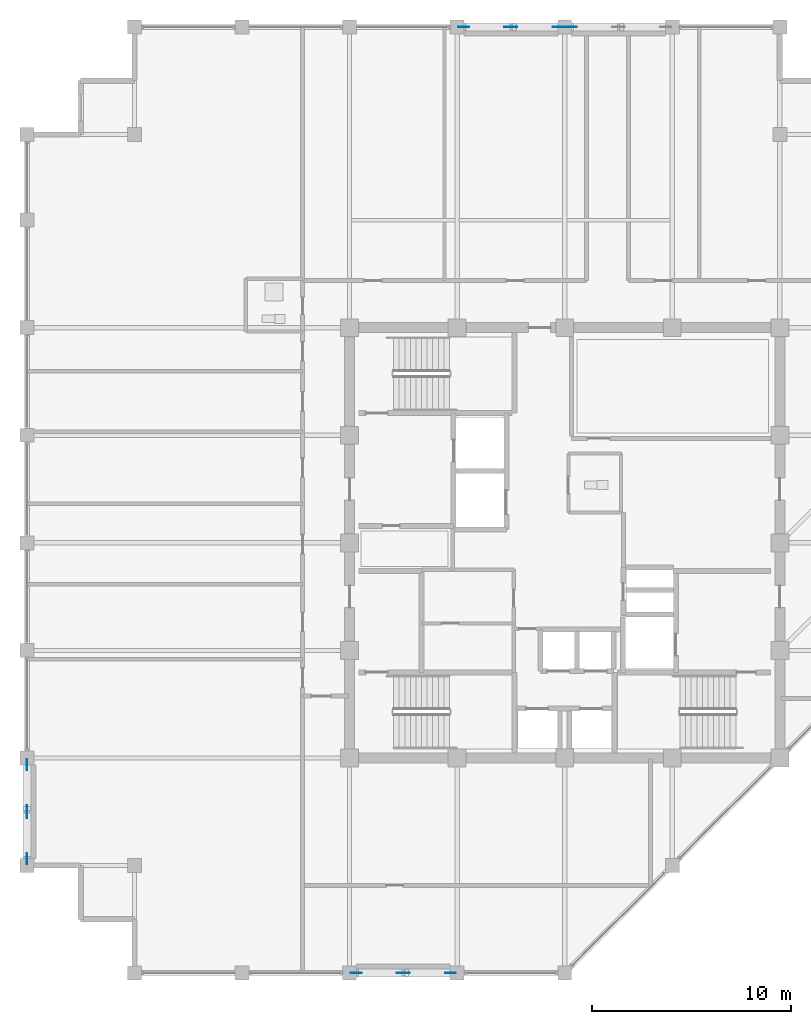
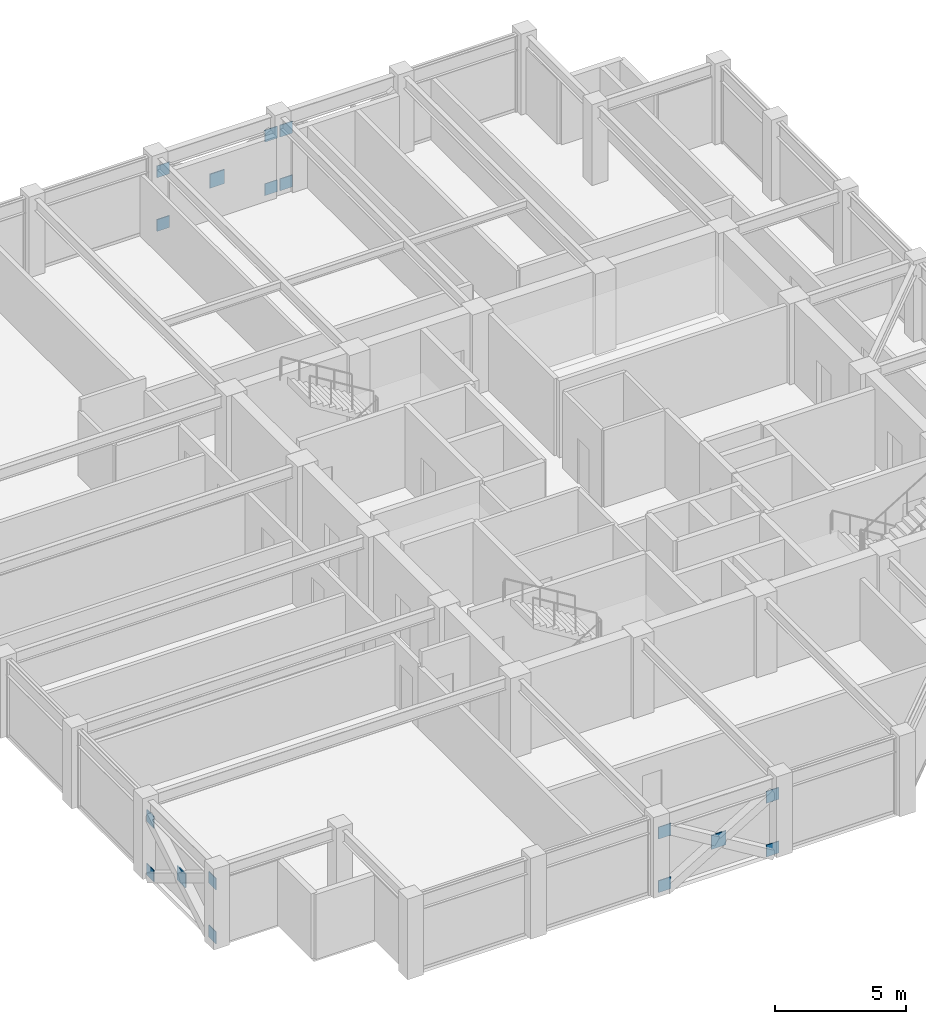
# One storey, part 24 of 30: 17 plates.
"""IFC4 building model written with IfcOpenShell, lengths in metres."""

from ifc_helpers import new_model, si_unit, direction, frame, origin, origin_2d, place, context, subcontext, project, spatial, rectangle, extrude, material, layer, layer_set, type_object, element, save


model = new_model("IFC4")

# Units and contexts
model_context = context("Model", 3, precision=1e-05, world=origin(), true_north=direction((0.0, 1.0)))
body_context = subcontext(model_context, "Body", "Model", "MODEL_VIEW")
ifc_project = project(units=[si_unit("LENGTHUNIT", "METRE"), si_unit("AREAUNIT", "SQUARE_METRE"), si_unit("VOLUMEUNIT", "CUBIC_METRE"), si_unit("PLANEANGLEUNIT", "RADIAN"), si_unit("MASSUNIT", "GRAM", prefix="KILO")], contexts=[model_context])

# Site, building, storey
site_placement = place(None, origin())
site = spatial("IfcSite", under=ifc_project, at=site_placement, CompositionType="ELEMENT")
building_placement = place(site_placement, origin())
building = spatial("IfcBuilding", under=site, at=building_placement, Name="Surkhivell Harbour Commons", CompositionType="ELEMENT")
storey_placement = place(building_placement, frame((0.0, 0.0, 292.5)))
storey = spatial("IfcBuildingStorey", under=building, at=storey_placement, Name="L76", CompositionType="ELEMENT", Elevation=292.5)

# Plates
ifc_material = material(Name="Steel S460", Category="steel")
ifc_layer_1 = layer(ifc_material, 0.035888671875)
ifc_layer_set_1 = layer_set([ifc_layer_1], Name="Steel S460")
plate_type_1 = type_object("IfcPlateType", Name="PLT-GUS-550", PredefinedType="USERDEFINED", material=ifc_layer_set_1)
for number, where, z_axis, x_axis, name in (
    (1, (-5.06494140625, 25.89990234375, -0.07470703125), (0.0, 0.0, 1.0), (1.0, 0.0, 0.0), "L76 Perimeter Mega-Brace MB- Corner Gusset N-1"),
    (2, (-0.3349609375, 25.89990234375, -0.07470703125), (0.0, 0.0, 1.0), (1.0, 0.0, 0.0), "L76 Perimeter Mega-Brace MB- Corner Gusset N-2"),
    (3, (-5.06494140625, 25.89990234375, 2.41357421875), (0.0, 0.0, 1.0), (1.0, 0.0, 0.0), "L76 Perimeter Mega-Brace MB- Corner Gusset N-3"),
    (4, (-0.3349609375, 25.89990234375, 2.41357421875), (0.0, 0.0, 1.0), (1.0, 0.0, 0.0), "L76 Perimeter Mega-Brace MB- Corner Gusset N-4"),
    (5, (0.3349609375, 25.89990234375, -0.07470703125), (0.0, 0.0, 1.0), (1.0, 0.0, 0.0), "L76 Perimeter Mega-Brace MB- Corner Gusset N2-1"),
    (6, (0.3349609375, 25.89990234375, 2.41357421875), (0.0, 0.0, 1.0), (1.0, 0.0, 0.0), "L76 Perimeter Mega-Brace MB- Corner Gusset N2-3"),
    (7, (-10.465087890625, -21.60009765625, -0.07470703125), (0.0, 0.0, 1.0), (1.0, 0.0, 0.0), "L76 Perimeter Mega-Brace MB- Corner Gusset S-1"),
    (8, (-5.735107421875, -21.60009765625, -0.07470703125), (0.0, 0.0, 1.0), (1.0, 0.0, 0.0), "L76 Perimeter Mega-Brace MB- Corner Gusset S-2"),
    (9, (-10.465087890625, -21.60009765625, 2.41357421875), (0.0, 0.0, 1.0), (1.0, 0.0, 0.0), "L76 Perimeter Mega-Brace MB- Corner Gusset S-3"),
    (10, (-5.735107421875, -21.60009765625, 2.41357421875), (0.0, 0.0, 1.0), (1.0, 0.0, 0.0), "L76 Perimeter Mega-Brace MB- Corner Gusset S-4"),
    (11, (-27.0, -15.864990234375, -0.07470703125), (0.0, 0.0, 1.0), (0.0, 1.0, 0.0), "L76 Perimeter Mega-Brace MB- Corner Gusset W-1"),
    (12, (-27.0, -11.135009765625, -0.07470703125), (0.0, 0.0, 1.0), (0.0, 1.0, 0.0), "L76 Perimeter Mega-Brace MB- Corner Gusset W-2"),
    (13, (-27.0, -15.864990234375, 2.41357421875), (0.0, 0.0, 1.0), (0.0, 1.0, 0.0), "L76 Perimeter Mega-Brace MB- Corner Gusset W-3"),
    (14, (-27.0, -11.135009765625, 2.41357421875), (0.0, 0.0, 1.0), (0.0, 1.0, 0.0), "L76 Perimeter Mega-Brace MB- Corner Gusset W-4"),
):
    element("IfcPlate", number, at=place(storey_placement, frame(where, z_axis=z_axis, x_axis=x_axis)), inside=storey, type_object=plate_type_1, Name=name, ObjectType="GUSSET_PLATE", PredefinedType="USERDEFINED", context=body_context, shape_type="SweptSolid", body=[
        extrude(rectangle(XDim=0.550048828125, YDim=0.035888671875, at=origin_2d()), origin(), (0.0, 0.0, 1.0), 0.550048828125),
    ])
ifc_layer_2 = layer(ifc_material, 0.044921875)
ifc_layer_set_2 = layer_set([ifc_layer_2], Name="Steel S460")
plate_type_2 = type_object("IfcPlateType", Name="PLT-GUS-650", PredefinedType="USERDEFINED", material=ifc_layer_set_2)
for number, where, z_axis, x_axis, name in (
    (15, (-2.699951171875, 25.89990234375, 1.11962890625), (0.0, 0.0, 1.0), (1.0, 0.0, 0.0), "L76 Perimeter Mega-Brace MB- Central Crossing Gusset N"),
    (16, (-8.10009765625, -21.60009765625, 1.11962890625), (0.0, 0.0, 1.0), (1.0, 0.0, 0.0), "L76 Perimeter Mega-Brace MB- Central Crossing Gusset S"),
    (17, (-27.0, -13.5, 1.11962890625), (0.0, 0.0, 1.0), (0.0, 1.0, 0.0), "L76 Perimeter Mega-Brace MB- Central Crossing Gusset W"),
):
    element("IfcPlate", number, at=place(storey_placement, frame(where, z_axis=z_axis, x_axis=x_axis)), inside=storey, type_object=plate_type_2, Name=name, ObjectType="GUSSET_PLATE", PredefinedType="USERDEFINED", context=body_context, shape_type="SweptSolid", body=[
        extrude(rectangle(XDim=0.64990234375, YDim=0.044921875, at=origin_2d()), origin(), (0.0, 0.0, 1.0), 0.64990234375),
    ])

save(model, "model.ifc")
